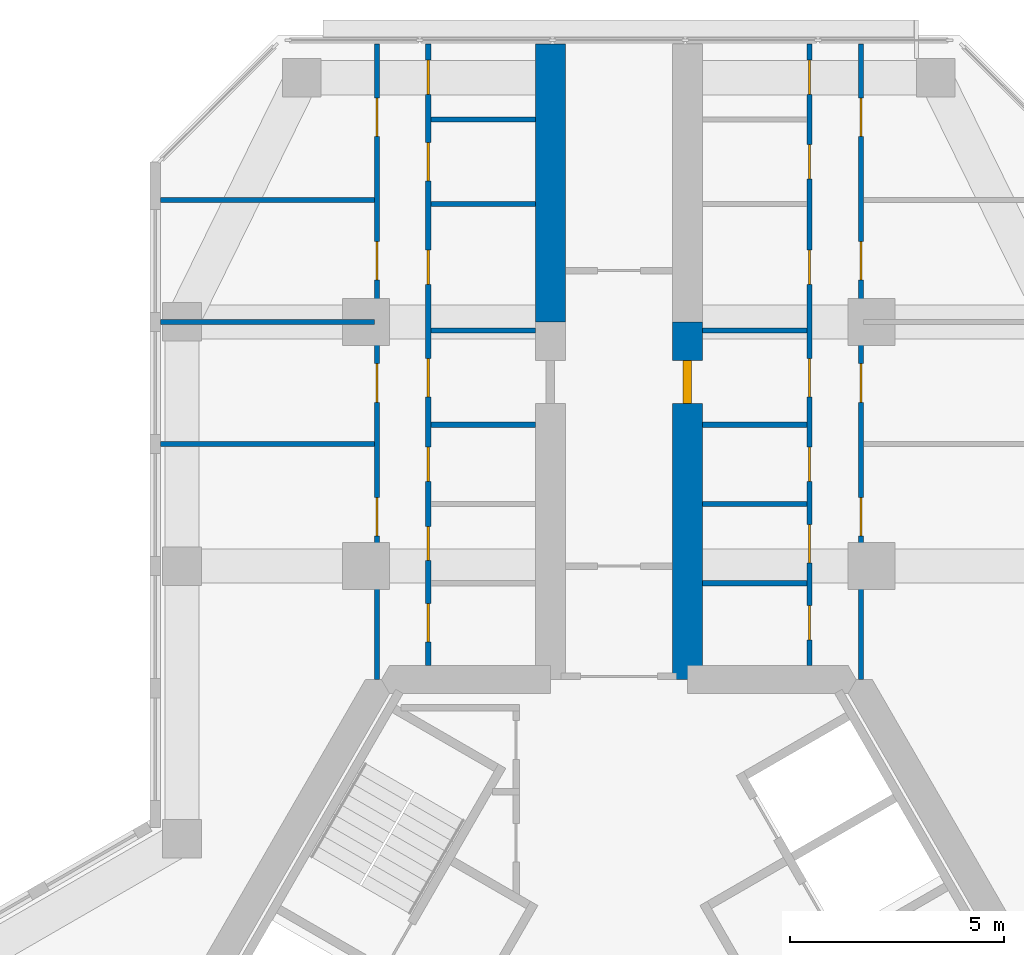
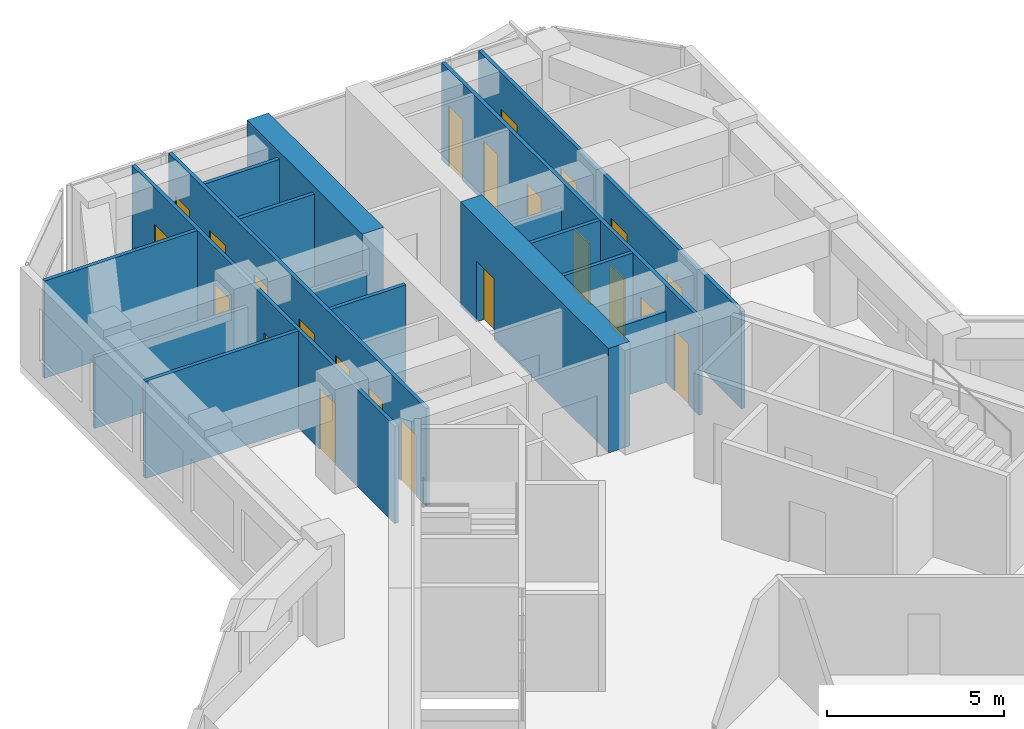
# One storey, part 14 of 16: 23 doors, 17 walls, 23 openings.
"""IFC4 building model written with IfcOpenShell, lengths in metres."""

from ifc_helpers import new_model, si_unit, direction, frame, frame_2d, origin, place, context, subcontext, project, spatial, rectangle, extrude, material, layer, layer_set, type_object, element, fill, save


model = new_model("IFC4")

# Units and contexts
model_context = context("Model", 3, precision=1e-05, world=origin(), true_north=direction((0.0, 1.0)))
body_context = subcontext(model_context, "Body", "Model", "MODEL_VIEW")
ifc_project = project(units=[si_unit("LENGTHUNIT", "METRE"), si_unit("AREAUNIT", "SQUARE_METRE"), si_unit("VOLUMEUNIT", "CUBIC_METRE"), si_unit("PLANEANGLEUNIT", "RADIAN"), si_unit("MASSUNIT", "GRAM", prefix="KILO")], contexts=[model_context])

# Site, building, storey
site_placement = place(None, origin())
site = spatial("IfcSite", under=ifc_project, at=site_placement, CompositionType="ELEMENT")
building_placement = place(site_placement, origin())
building = spatial("IfcBuilding", under=site, at=building_placement, Name="Kosmar Iwan School Tower", CompositionType="ELEMENT")
storey_placement = place(building_placement, frame((0.0, 0.0, 197.39990234375)))
storey = spatial("IfcBuildingStorey", under=building, at=storey_placement, Name="L49", CompositionType="ELEMENT", Elevation=197.39990234375)

# Wall
ifc_material_1 = material(Name="Concrete C50/60", Category="concrete")
ifc_layer_1 = layer(ifc_material_1, 0.699951171875)
ifc_layer_set_1 = layer_set([ifc_layer_1], Name="Corridor buttress wall 700")
wall_type_1 = type_object("IfcWallType", Name="Corridor buttress wall 700", PredefinedType="SHEAR", material=ifc_layer_set_1)
wall_1_placement = place(storey_placement, frame((-1.60009765625, 17.949951171875, 0.0), z_axis=(0.0, 0.0, 1.0), x_axis=(0.0, 1.0, 0.0)))
element("IfcWall", 1, at=wall_1_placement, inside=storey, type_object=wall_type_1, Name="Corridor wall AL bay 2", PredefinedType="SHEAR", context=body_context, shape_type="SweptSolid", body=[
    extrude(rectangle(XDim=6.4951171875, YDim=0.699951171875, at=frame_2d((3.24755859375, 0.0))), origin(), (0.0, 0.0, 1.0), 3.60009765625),
])

# Wall, opening, door
wall_2_placement = place(storey_placement, frame((1.60009765625, 9.60009765625, 0.0), z_axis=(0.0, 0.0, 1.0), x_axis=(0.0, 1.0, 0.0)))
wall_2 = element("IfcWall", 2, at=wall_2_placement, inside=storey, type_object=wall_type_1, Name="Corridor wall AR", PredefinedType="SHEAR", context=body_context, shape_type="SweptSolid", body=[
    extrude(rectangle(XDim=8.349853515625, YDim=0.699951171875, at=frame_2d((4.1748046875, 0.0))), origin(), (0.0, 0.0, 1.0), 3.60009765625),
])
opening_1_placement = place(wall_2_placement, frame((6.449951171875, 0.0, 0.0)))
opening_1 = element("IfcOpeningElement", 3, at=opening_1_placement, cuts=wall_2, Name="Opening D1", PredefinedType="OPENING", context=body_context, shape_type="SweptSolid", body=[
    extrude(rectangle(XDim=1.0, YDim=2.10009765625, at=frame_2d((0.5, 1.050048828125))), frame((0.0, 0.362060546875, 0.0), z_axis=(0.0, -1.0, 0.0), x_axis=(1.0, 0.0, 0.0)), (0.0, 0.0, 1.0), 0.723876953125),
])
ifc_material_2 = material(Name="Timber fire door in steel frame", Category="steel")
door_type_1 = type_object("IfcDoorType", Name="Flat entrance door 1000x2100", OperationType="SINGLE_SWING_LEFT", PredefinedType="DOOR", material=ifc_material_2)
door_1_placement = place(opening_1_placement, origin())
door_1 = element("IfcDoor", 4, at=door_1_placement, inside=storey, type_object=door_type_1, Name="Flat L49-AR1 entrance door", OperationType="SINGLE_SWING_RIGHT", OverallHeight=2.10009765625, OverallWidth=1.0, PredefinedType="DOOR", context=body_context, shape_type="SweptSolid", body=[
    extrude(rectangle(XDim=1.0, YDim=2.10009765625, at=frame_2d((0.5, 1.050048828125))), frame((0.0, 0.10009765625, 0.0), z_axis=(0.0, -1.0, 0.0), x_axis=(1.0, 0.0, 0.0)), (0.0, 0.0, 1.0), 0.199951171875),
])
fill(opening_1, door_1)

# Wall, openings, doors
ifc_material_3 = material(Name="Gypsum board on steel studs", Category="steel")
ifc_layer_2 = layer(ifc_material_3, 0.1201171875)
ifc_layer_set_2 = layer_set([ifc_layer_2], Name="Dwelling partition 120")
wall_type_2 = type_object("IfcWallType", Name="Dwelling partition 120", PredefinedType="PARTITIONING", material=ifc_layer_set_2)
wall_3_placement = place(storey_placement, frame((-4.449951171875, 9.925048828125, 0.0), z_axis=(0.0, 0.0, 1.0), x_axis=(0.0, 1.0, 0.0)))
wall_3 = element("IfcWall", 5, at=wall_3_placement, inside=storey, type_object=wall_type_2, Name="Partition L49-AL1-W1", PredefinedType="PARTITIONING", context=body_context, shape_type="SweptSolid", body=[
    extrude(rectangle(XDim=14.52001953125, YDim=0.1201171875, at=frame_2d((7.260009765625, 0.0))), origin(), (0.0, 0.0, 1.0), 3.35009765625),
])
opening_2_placement = place(wall_3_placement, frame((0.550048828125, 0.0, 0.0)))
opening_2 = element("IfcOpeningElement", 6, at=opening_2_placement, cuts=wall_3, Name="Opening D2", PredefinedType="OPENING", context=body_context, shape_type="SweptSolid", body=[
    extrude(rectangle(XDim=0.89990234375, YDim=2.10009765625, at=frame_2d((0.449951171875, 1.050048828125))), frame((0.0, 0.072021484375, 0.0), z_axis=(0.0, -1.0, 0.0), x_axis=(1.0, 0.0, 0.0)), (0.0, 0.0, 1.0), 0.14404296875),
])
opening_3_placement = place(wall_3_placement, frame((2.449951171875, 0.0, 0.0)))
opening_3 = element("IfcOpeningElement", 7, at=opening_3_placement, cuts=wall_3, Name="Opening D3", PredefinedType="OPENING", context=body_context, shape_type="SweptSolid", body=[
    extrude(rectangle(XDim=0.800048828125, YDim=2.10009765625, at=frame_2d((0.39990234375, 1.050048828125))), frame((0.0, 0.072021484375, 0.0), z_axis=(0.0, -1.0, 0.0), x_axis=(1.0, 0.0, 0.0)), (0.0, 0.0, 1.0), 0.14404296875),
])
opening_4_placement = place(wall_3_placement, frame((4.300048828125, 0.0, 0.0)))
opening_4 = element("IfcOpeningElement", 8, at=opening_4_placement, cuts=wall_3, Name="Opening D3", PredefinedType="OPENING", context=body_context, shape_type="SweptSolid", body=[
    extrude(rectangle(XDim=0.800048828125, YDim=2.10009765625, at=frame_2d((0.39990234375, 1.050048828125))), frame((0.0, 0.072021484375, 0.0), z_axis=(0.0, -1.0, 0.0), x_axis=(1.0, 0.0, 0.0)), (0.0, 0.0, 1.0), 0.14404296875),
])
opening_5_placement = place(wall_3_placement, frame((6.27490234375, 0.0, 0.0)))
opening_5 = element("IfcOpeningElement", 9, at=opening_5_placement, cuts=wall_3, Name="Opening D2", PredefinedType="OPENING", context=body_context, shape_type="SweptSolid", body=[
    extrude(rectangle(XDim=0.89990234375, YDim=2.10009765625, at=frame_2d((0.449951171875, 1.050048828125))), frame((0.0, 0.072021484375, 0.0), z_axis=(0.0, -1.0, 0.0), x_axis=(1.0, 0.0, 0.0)), (0.0, 0.0, 1.0), 0.14404296875),
])
opening_6_placement = place(wall_3_placement, frame((8.903564453125, 0.0, 0.0)))
opening_6 = element("IfcOpeningElement", 10, at=opening_6_placement, cuts=wall_3, Name="Opening D3", PredefinedType="OPENING", context=body_context, shape_type="SweptSolid", body=[
    extrude(rectangle(XDim=0.800048828125, YDim=2.10009765625, at=frame_2d((0.39990234375, 1.050048828125))), frame((0.0, 0.072021484375, 0.0), z_axis=(0.0, -1.0, 0.0), x_axis=(1.0, 0.0, 0.0)), (0.0, 0.0, 1.0), 0.14404296875),
])
opening_7_placement = place(wall_3_placement, frame((11.31787109375, 0.0, 0.0)))
opening_7 = element("IfcOpeningElement", 11, at=opening_7_placement, cuts=wall_3, Name="Opening D2", PredefinedType="OPENING", context=body_context, shape_type="SweptSolid", body=[
    extrude(rectangle(XDim=0.89990234375, YDim=2.10009765625, at=frame_2d((0.449951171875, 1.050048828125))), frame((0.0, 0.072021484375, 0.0), z_axis=(0.0, -1.0, 0.0), x_axis=(1.0, 0.0, 0.0)), (0.0, 0.0, 1.0), 0.14404296875),
])
opening_8_placement = place(wall_3_placement, frame((13.33935546875, 0.0, 0.0)))
opening_8 = element("IfcOpeningElement", 12, at=opening_8_placement, cuts=wall_3, Name="Opening D3", PredefinedType="OPENING", context=body_context, shape_type="SweptSolid", body=[
    extrude(rectangle(XDim=0.800048828125, YDim=2.10009765625, at=frame_2d((0.39990234375, 1.050048828125))), frame((0.0, 0.072021484375, 0.0), z_axis=(0.0, -1.0, 0.0), x_axis=(1.0, 0.0, 0.0)), (0.0, 0.0, 1.0), 0.14404296875),
])
ifc_material_4 = material(Name="Timber door in timber frame", Category="wood")
door_type_2 = type_object("IfcDoorType", Name="Internal door 900x2100", OperationType="SINGLE_SWING_LEFT", PredefinedType="DOOR", material=ifc_material_4)
door_2_placement = place(opening_2_placement, origin())
door_2 = element("IfcDoor", 13, at=door_2_placement, inside=storey, type_object=door_type_2, Name="Utility room door L49-AL1-S1", OperationType="SINGLE_SWING_LEFT", OverallHeight=2.10009765625, OverallWidth=0.89990234375, PredefinedType="DOOR", context=body_context, shape_type="SweptSolid", body=[
    extrude(rectangle(XDim=0.89990234375, YDim=2.10009765625, at=frame_2d((0.449951171875, 1.050048828125))), frame((0.0, 0.02490234375, 0.0), z_axis=(0.0, -1.0, 0.0), x_axis=(1.0, 0.0, 0.0)), (0.0, 0.0, 1.0), 0.050048828125),
])
fill(opening_2, door_2)
door_3_placement = place(opening_5_placement, origin())
door_3 = element("IfcDoor", 14, at=door_3_placement, inside=storey, type_object=door_type_2, Name="Entrance hall door L49-AL1-S4", OperationType="SINGLE_SWING_LEFT", OverallHeight=2.10009765625, OverallWidth=0.89990234375, PredefinedType="DOOR", context=body_context, shape_type="SweptSolid", body=[
    extrude(rectangle(XDim=0.89990234375, YDim=2.10009765625, at=frame_2d((0.449951171875, 1.050048828125))), frame((0.0, 0.02490234375, 0.0), z_axis=(0.0, -1.0, 0.0), x_axis=(1.0, 0.0, 0.0)), (0.0, 0.0, 1.0), 0.050048828125),
])
fill(opening_5, door_3)
door_4_placement = place(opening_7_placement, origin())
door_4 = element("IfcDoor", 15, at=door_4_placement, inside=storey, type_object=door_type_2, Name="Pantry door L49-AL1-S6", OperationType="SINGLE_SWING_RIGHT", OverallHeight=2.10009765625, OverallWidth=0.89990234375, PredefinedType="DOOR", context=body_context, shape_type="SweptSolid", body=[
    extrude(rectangle(XDim=0.89990234375, YDim=2.10009765625, at=frame_2d((0.449951171875, 1.050048828125))), frame((0.0, 0.02490234375, 0.0), z_axis=(0.0, -1.0, 0.0), x_axis=(1.0, 0.0, 0.0)), (0.0, 0.0, 1.0), 0.050048828125),
])
fill(opening_7, door_4)
ifc_material_5 = material(Name="Timber door in timber frame", Category="wood")
door_type_3 = type_object("IfcDoorType", Name="Sanitary room door 800x2100", OperationType="SINGLE_SWING_LEFT", PredefinedType="DOOR", material=ifc_material_5)
door_5_placement = place(opening_3_placement, origin())
door_5 = element("IfcDoor", 16, at=door_5_placement, inside=storey, type_object=door_type_3, Name="WC door L49-AL1-S2", OperationType="SINGLE_SWING_LEFT", OverallHeight=2.10009765625, OverallWidth=0.800048828125, PredefinedType="DOOR", context=body_context, shape_type="SweptSolid", body=[
    extrude(rectangle(XDim=0.800048828125, YDim=2.10009765625, at=frame_2d((0.39990234375, 1.050048828125))), frame((0.0, 0.02490234375, 0.0), z_axis=(0.0, -1.0, 0.0), x_axis=(1.0, 0.0, 0.0)), (0.0, 0.0, 1.0), 0.050048828125),
])
fill(opening_3, door_5)
door_6_placement = place(opening_4_placement, origin())
door_6 = element("IfcDoor", 17, at=door_6_placement, inside=storey, type_object=door_type_3, Name="Shower room door L49-AL1-S3", OperationType="SINGLE_SWING_LEFT", OverallHeight=2.10009765625, OverallWidth=0.800048828125, PredefinedType="DOOR", context=body_context, shape_type="SweptSolid", body=[
    extrude(rectangle(XDim=0.800048828125, YDim=2.10009765625, at=frame_2d((0.39990234375, 1.050048828125))), frame((0.0, 0.02490234375, 0.0), z_axis=(0.0, -1.0, 0.0), x_axis=(1.0, 0.0, 0.0)), (0.0, 0.0, 1.0), 0.050048828125),
])
fill(opening_4, door_6)
door_7_placement = place(opening_6_placement, origin())
door_7 = element("IfcDoor", 18, at=door_7_placement, inside=storey, type_object=door_type_3, Name="Bathroom door L49-AL1-S5", OperationType="SINGLE_SWING_RIGHT", OverallHeight=2.10009765625, OverallWidth=0.800048828125, PredefinedType="DOOR", context=body_context, shape_type="SweptSolid", body=[
    extrude(rectangle(XDim=0.800048828125, YDim=2.10009765625, at=frame_2d((0.39990234375, 1.050048828125))), frame((0.0, 0.02490234375, 0.0), z_axis=(0.0, -1.0, 0.0), x_axis=(1.0, 0.0, 0.0)), (0.0, 0.0, 1.0), 0.050048828125),
])
fill(opening_6, door_7)
door_8_placement = place(opening_8_placement, origin())
door_8 = element("IfcDoor", 19, at=door_8_placement, inside=storey, type_object=door_type_3, Name="Store door L49-AL1-S7", OperationType="SINGLE_SWING_RIGHT", OverallHeight=2.10009765625, OverallWidth=0.800048828125, PredefinedType="DOOR", context=body_context, shape_type="SweptSolid", body=[
    extrude(rectangle(XDim=0.800048828125, YDim=2.10009765625, at=frame_2d((0.39990234375, 1.050048828125))), frame((0.0, 0.02490234375, 0.0), z_axis=(0.0, -1.0, 0.0), x_axis=(1.0, 0.0, 0.0)), (0.0, 0.0, 1.0), 0.050048828125),
])
fill(opening_8, door_8)

wall_4_placement = place(storey_placement, frame((-5.64990234375, 9.60009765625, 0.0), z_axis=(0.0, 0.0, 1.0), x_axis=(0.0, 1.0, 0.0)))
wall_4 = element("IfcWall", 20, at=wall_4_placement, inside=storey, type_object=wall_type_2, Name="Partition L49-AL1-W2", PredefinedType="PARTITIONING", context=body_context, shape_type="SweptSolid", body=[
    extrude(rectangle(XDim=14.844970703125, YDim=0.1201171875, at=frame_2d((7.42236328125, 0.0))), origin(), (0.0, 0.0, 1.0), 3.35009765625),
])
opening_9_placement = place(wall_4_placement, frame((3.35009765625, 0.0, 0.0)))
opening_9 = element("IfcOpeningElement", 21, at=opening_9_placement, cuts=wall_4, Name="Opening D2", PredefinedType="OPENING", context=body_context, shape_type="SweptSolid", body=[
    extrude(rectangle(XDim=0.89990234375, YDim=2.10009765625, at=frame_2d((0.449951171875, 1.050048828125))), frame((0.0, 0.072021484375, 0.0), z_axis=(0.0, -1.0, 0.0), x_axis=(1.0, 0.0, 0.0)), (0.0, 0.0, 1.0), 0.14404296875),
])
opening_10_placement = place(wall_4_placement, frame((6.47509765625, 0.0, 0.0)))
opening_10 = element("IfcOpeningElement", 22, at=opening_10_placement, cuts=wall_4, Name="Opening D2", PredefinedType="OPENING", context=body_context, shape_type="SweptSolid", body=[
    extrude(rectangle(XDim=0.89990234375, YDim=2.10009765625, at=frame_2d((0.449951171875, 1.050048828125))), frame((0.0, 0.072021484375, 0.0), z_axis=(0.0, -1.0, 0.0), x_axis=(1.0, 0.0, 0.0)), (0.0, 0.0, 1.0), 0.14404296875),
])
opening_11_placement = place(wall_4_placement, frame((9.324951171875, 0.0, 0.0)))
opening_11 = element("IfcOpeningElement", 23, at=opening_11_placement, cuts=wall_4, Name="Opening D2", PredefinedType="OPENING", context=body_context, shape_type="SweptSolid", body=[
    extrude(rectangle(XDim=0.89990234375, YDim=2.10009765625, at=frame_2d((0.449951171875, 1.050048828125))), frame((0.0, 0.072021484375, 0.0), z_axis=(0.0, -1.0, 0.0), x_axis=(1.0, 0.0, 0.0)), (0.0, 0.0, 1.0), 0.14404296875),
])
opening_12_placement = place(wall_4_placement, frame((12.675048828125, 0.0, 0.0)))
opening_12 = element("IfcOpeningElement", 24, at=opening_12_placement, cuts=wall_4, Name="Opening D2", PredefinedType="OPENING", context=body_context, shape_type="SweptSolid", body=[
    extrude(rectangle(XDim=0.89990234375, YDim=2.10009765625, at=frame_2d((0.449951171875, 1.050048828125))), frame((0.0, 0.072021484375, 0.0), z_axis=(0.0, -1.0, 0.0), x_axis=(1.0, 0.0, 0.0)), (0.0, 0.0, 1.0), 0.14404296875),
])
door_9_placement = place(opening_9_placement, origin())
door_9 = element("IfcDoor", 25, at=door_9_placement, inside=storey, type_object=door_type_2, Name="Family room and kitchen door L49-AL1-F1", OperationType="SINGLE_SWING_RIGHT", OverallHeight=2.10009765625, OverallWidth=0.89990234375, PredefinedType="DOOR", context=body_context, shape_type="SweptSolid", body=[
    extrude(rectangle(XDim=0.89990234375, YDim=2.10009765625, at=frame_2d((0.449951171875, 1.050048828125))), frame((0.0, 0.02490234375, 0.0), z_axis=(0.0, -1.0, 0.0), x_axis=(1.0, 0.0, 0.0)), (0.0, 0.0, 1.0), 0.050048828125),
])
fill(opening_9, door_9)
door_10_placement = place(opening_10_placement, origin())
door_10 = element("IfcDoor", 26, at=door_10_placement, inside=storey, type_object=door_type_2, Name="Bedroom 1 door L49-AL1-F2", OperationType="SINGLE_SWING_RIGHT", OverallHeight=2.10009765625, OverallWidth=0.89990234375, PredefinedType="DOOR", context=body_context, shape_type="SweptSolid", body=[
    extrude(rectangle(XDim=0.89990234375, YDim=2.10009765625, at=frame_2d((0.449951171875, 1.050048828125))), frame((0.0, 0.02490234375, 0.0), z_axis=(0.0, -1.0, 0.0), x_axis=(1.0, 0.0, 0.0)), (0.0, 0.0, 1.0), 0.050048828125),
])
fill(opening_10, door_10)
door_11_placement = place(opening_11_placement, origin())
door_11 = element("IfcDoor", 27, at=door_11_placement, inside=storey, type_object=door_type_2, Name="Bedroom 2 door L49-AL1-F3", OperationType="SINGLE_SWING_LEFT", OverallHeight=2.10009765625, OverallWidth=0.89990234375, PredefinedType="DOOR", context=body_context, shape_type="SweptSolid", body=[
    extrude(rectangle(XDim=0.89990234375, YDim=2.10009765625, at=frame_2d((0.449951171875, 1.050048828125))), frame((0.0, 0.02490234375, 0.0), z_axis=(0.0, -1.0, 0.0), x_axis=(1.0, 0.0, 0.0)), (0.0, 0.0, 1.0), 0.050048828125),
])
fill(opening_11, door_11)
door_12_placement = place(opening_12_placement, origin())
door_12 = element("IfcDoor", 28, at=door_12_placement, inside=storey, type_object=door_type_2, Name="Bedroom 3 door L49-AL1-F4", OperationType="SINGLE_SWING_RIGHT", OverallHeight=2.10009765625, OverallWidth=0.89990234375, PredefinedType="DOOR", context=body_context, shape_type="SweptSolid", body=[
    extrude(rectangle(XDim=0.89990234375, YDim=2.10009765625, at=frame_2d((0.449951171875, 1.050048828125))), frame((0.0, 0.02490234375, 0.0), z_axis=(0.0, -1.0, 0.0), x_axis=(1.0, 0.0, 0.0)), (0.0, 0.0, 1.0), 0.050048828125),
])
fill(opening_12, door_12)

# Walls
wall_5_placement = place(storey_placement, frame((-5.7099609375, 15.10009765625, 0.0), z_axis=(0.0, 0.0, 1.0), x_axis=(-1.0, 0.0, 0.0)))
element("IfcWall", 29, at=wall_5_placement, inside=storey, type_object=wall_type_2, Name="Partition L49-AL1-X1", PredefinedType="PARTITIONING", context=body_context, shape_type="SweptSolid", body=[
    extrude(rectangle(XDim=4.989990234375, YDim=0.1201171875, at=frame_2d((2.4951171875, 0.0))), origin(), (0.0, 0.0, 1.0), 3.35009765625),
])
wall_6_placement = place(storey_placement, frame((-5.7099609375, 17.949951171875, 0.0), z_axis=(0.0, 0.0, 1.0), x_axis=(-1.0, 0.0, 0.0)))
element("IfcWall", 30, at=wall_6_placement, inside=storey, type_object=wall_type_2, Name="Partition L49-AL1-X2", PredefinedType="PARTITIONING", context=body_context, shape_type="SweptSolid", body=[
    extrude(rectangle(XDim=4.989990234375, YDim=0.1201171875, at=frame_2d((2.4951171875, 0.0))), origin(), (0.0, 0.0, 1.0), 2.4501953125),
])
wall_7_placement = place(storey_placement, frame((-5.7099609375, 20.800048828125, 0.0), z_axis=(0.0, 0.0, 1.0), x_axis=(-1.0, 0.0, 0.0)))
element("IfcWall", 31, at=wall_7_placement, inside=storey, type_object=wall_type_2, Name="Partition L49-AL1-X3", PredefinedType="PARTITIONING", context=body_context, shape_type="SweptSolid", body=[
    extrude(rectangle(XDim=4.989990234375, YDim=0.1201171875, at=frame_2d((2.4951171875, 0.0))), origin(), (0.0, 0.0, 1.0), 3.35009765625),
])
wall_8_placement = place(storey_placement, frame((-1.949951171875, 15.550048828125, 0.0), z_axis=(0.0, 0.0, 1.0), x_axis=(-1.0, 0.0, 0.0)))
element("IfcWall", 32, at=wall_8_placement, inside=storey, type_object=wall_type_2, Name="Partition L49-AL1-Y3", PredefinedType="PARTITIONING", context=body_context, shape_type="SweptSolid", body=[
    extrude(rectangle(XDim=2.43994140625, YDim=0.1201171875, at=frame_2d((1.219970703125, 0.0))), origin(), (0.0, 0.0, 1.0), 3.35009765625),
])
wall_9_placement = place(storey_placement, frame((-1.949951171875, 17.75, 0.0), z_axis=(0.0, 0.0, 1.0), x_axis=(-1.0, 0.0, 0.0)))
element("IfcWall", 33, at=wall_9_placement, inside=storey, type_object=wall_type_2, Name="Partition L49-AL1-Y4", PredefinedType="PARTITIONING", context=body_context, shape_type="SweptSolid", body=[
    extrude(rectangle(XDim=2.43994140625, YDim=0.1201171875, at=frame_2d((1.219970703125, 0.0))), origin(), (0.0, 0.0, 1.0), 2.4501953125),
])
for number, where, z_axis, x_axis, name in (
    (34, (-1.949951171875, 20.70703125, 0.0), (0.0, 0.0, 1.0), (-1.0, 0.0, 0.0), "Partition L49-AL1-Y5"),
    (35, (-1.949951171875, 22.678466796875, 0.0), (0.0, 0.0, 1.0), (-1.0, 0.0, 0.0), "Partition L49-AL1-Y6"),
):
    element("IfcWall", number, at=place(storey_placement, frame(where, z_axis=z_axis, x_axis=x_axis)), inside=storey, type_object=wall_type_2, Name=name, PredefinedType="PARTITIONING", context=body_context, shape_type="SweptSolid", body=[
        extrude(rectangle(XDim=2.43994140625, YDim=0.1201171875, at=frame_2d((1.219970703125, 0.0))), origin(), (0.0, 0.0, 1.0), 3.35009765625),
    ])

# Wall, openings, doors
wall_10_placement = place(storey_placement, frame((4.449951171875, 9.925048828125, 0.0), z_axis=(0.0, 0.0, 1.0), x_axis=(0.0, 1.0, 0.0)))
wall_10 = element("IfcWall", 36, at=wall_10_placement, inside=storey, type_object=wall_type_2, Name="Partition L49-AR1-W1", PredefinedType="PARTITIONING", context=body_context, shape_type="SweptSolid", body=[
    extrude(rectangle(XDim=14.52001953125, YDim=0.1201171875, at=frame_2d((7.260009765625, 0.0))), origin(), (0.0, 0.0, 1.0), 3.35009765625),
])
opening_13_placement = place(wall_10_placement, frame((0.60009765625, 0.0, 0.0)))
opening_13 = element("IfcOpeningElement", 37, at=opening_13_placement, cuts=wall_10, Name="Opening D3", PredefinedType="OPENING", context=body_context, shape_type="SweptSolid", body=[
    extrude(rectangle(XDim=0.800048828125, YDim=2.10009765625, at=frame_2d((0.39990234375, 1.050048828125))), frame((0.0, 0.072021484375, 0.0), z_axis=(0.0, -1.0, 0.0), x_axis=(1.0, 0.0, 0.0)), (0.0, 0.0, 1.0), 0.14404296875),
])
opening_14_placement = place(wall_10_placement, frame((2.39990234375, 0.0, 0.0)))
opening_14 = element("IfcOpeningElement", 38, at=opening_14_placement, cuts=wall_10, Name="Opening D2", PredefinedType="OPENING", context=body_context, shape_type="SweptSolid", body=[
    extrude(rectangle(XDim=0.89990234375, YDim=2.10009765625, at=frame_2d((0.449951171875, 1.050048828125))), frame((0.0, 0.072021484375, 0.0), z_axis=(0.0, -1.0, 0.0), x_axis=(1.0, 0.0, 0.0)), (0.0, 0.0, 1.0), 0.14404296875),
])
opening_15_placement = place(wall_10_placement, frame((4.300048828125, 0.0, 0.0)))
opening_15 = element("IfcOpeningElement", 39, at=opening_15_placement, cuts=wall_10, Name="Opening D3", PredefinedType="OPENING", context=body_context, shape_type="SweptSolid", body=[
    extrude(rectangle(XDim=0.800048828125, YDim=2.10009765625, at=frame_2d((0.39990234375, 1.050048828125))), frame((0.0, 0.072021484375, 0.0), z_axis=(0.0, -1.0, 0.0), x_axis=(1.0, 0.0, 0.0)), (0.0, 0.0, 1.0), 0.14404296875),
])
opening_16_placement = place(wall_10_placement, frame((6.27490234375, 0.0, 0.0)))
opening_16 = element("IfcOpeningElement", 40, at=opening_16_placement, cuts=wall_10, Name="Opening D2", PredefinedType="OPENING", context=body_context, shape_type="SweptSolid", body=[
    extrude(rectangle(XDim=0.89990234375, YDim=2.10009765625, at=frame_2d((0.449951171875, 1.050048828125))), frame((0.0, 0.072021484375, 0.0), z_axis=(0.0, -1.0, 0.0), x_axis=(1.0, 0.0, 0.0)), (0.0, 0.0, 1.0), 0.14404296875),
])
opening_17_placement = place(wall_10_placement, frame((8.903564453125, 0.0, 0.0)))
opening_17 = element("IfcOpeningElement", 41, at=opening_17_placement, cuts=wall_10, Name="Opening D3", PredefinedType="OPENING", context=body_context, shape_type="SweptSolid", body=[
    extrude(rectangle(XDim=0.800048828125, YDim=2.10009765625, at=frame_2d((0.39990234375, 1.050048828125))), frame((0.0, 0.072021484375, 0.0), z_axis=(0.0, -1.0, 0.0), x_axis=(1.0, 0.0, 0.0)), (0.0, 0.0, 1.0), 0.14404296875),
])
opening_18_placement = place(wall_10_placement, frame((11.367919921875, 0.0, 0.0)))
opening_18 = element("IfcOpeningElement", 42, at=opening_18_placement, cuts=wall_10, Name="Opening D3", PredefinedType="OPENING", context=body_context, shape_type="SweptSolid", body=[
    extrude(rectangle(XDim=0.800048828125, YDim=2.10009765625, at=frame_2d((0.39990234375, 1.050048828125))), frame((0.0, 0.072021484375, 0.0), z_axis=(0.0, -1.0, 0.0), x_axis=(1.0, 0.0, 0.0)), (0.0, 0.0, 1.0), 0.14404296875),
])
opening_19_placement = place(wall_10_placement, frame((13.33935546875, 0.0, 0.0)))
opening_19 = element("IfcOpeningElement", 43, at=opening_19_placement, cuts=wall_10, Name="Opening D3", PredefinedType="OPENING", context=body_context, shape_type="SweptSolid", body=[
    extrude(rectangle(XDim=0.800048828125, YDim=2.10009765625, at=frame_2d((0.39990234375, 1.050048828125))), frame((0.0, 0.072021484375, 0.0), z_axis=(0.0, -1.0, 0.0), x_axis=(1.0, 0.0, 0.0)), (0.0, 0.0, 1.0), 0.14404296875),
])
door_13_placement = place(opening_14_placement, origin())
door_13 = element("IfcDoor", 44, at=door_13_placement, inside=storey, type_object=door_type_2, Name="Pantry door L49-AR1-S2", OperationType="SINGLE_SWING_RIGHT", OverallHeight=2.10009765625, OverallWidth=0.89990234375, PredefinedType="DOOR", context=body_context, shape_type="SweptSolid", body=[
    extrude(rectangle(XDim=0.89990234375, YDim=2.10009765625, at=frame_2d((0.449951171875, 1.050048828125))), frame((0.0, 0.02490234375, 0.0), z_axis=(0.0, -1.0, 0.0), x_axis=(1.0, 0.0, 0.0)), (0.0, 0.0, 1.0), 0.050048828125),
])
fill(opening_14, door_13)
door_14_placement = place(opening_16_placement, origin())
door_14 = element("IfcDoor", 45, at=door_14_placement, inside=storey, type_object=door_type_2, Name="Entrance hall door L49-AR1-S4", OperationType="SINGLE_SWING_RIGHT", OverallHeight=2.10009765625, OverallWidth=0.89990234375, PredefinedType="DOOR", context=body_context, shape_type="SweptSolid", body=[
    extrude(rectangle(XDim=0.89990234375, YDim=2.10009765625, at=frame_2d((0.449951171875, 1.050048828125))), frame((0.0, 0.02490234375, 0.0), z_axis=(0.0, -1.0, 0.0), x_axis=(1.0, 0.0, 0.0)), (0.0, 0.0, 1.0), 0.050048828125),
])
fill(opening_16, door_14)
door_15_placement = place(opening_13_placement, origin())
door_15 = element("IfcDoor", 46, at=door_15_placement, inside=storey, type_object=door_type_3, Name="Store door L49-AR1-S1", OperationType="SINGLE_SWING_LEFT", OverallHeight=2.10009765625, OverallWidth=0.800048828125, PredefinedType="DOOR", context=body_context, shape_type="SweptSolid", body=[
    extrude(rectangle(XDim=0.800048828125, YDim=2.10009765625, at=frame_2d((0.39990234375, 1.050048828125))), frame((0.0, 0.02490234375, 0.0), z_axis=(0.0, -1.0, 0.0), x_axis=(1.0, 0.0, 0.0)), (0.0, 0.0, 1.0), 0.050048828125),
])
fill(opening_13, door_15)
door_16_placement = place(opening_15_placement, origin())
door_16 = element("IfcDoor", 47, at=door_16_placement, inside=storey, type_object=door_type_3, Name="Grandparents' shower room door L49-AR1-S3", OperationType="SINGLE_SWING_LEFT", OverallHeight=2.10009765625, OverallWidth=0.800048828125, PredefinedType="DOOR", context=body_context, shape_type="SweptSolid", body=[
    extrude(rectangle(XDim=0.800048828125, YDim=2.10009765625, at=frame_2d((0.39990234375, 1.050048828125))), frame((0.0, 0.02490234375, 0.0), z_axis=(0.0, -1.0, 0.0), x_axis=(1.0, 0.0, 0.0)), (0.0, 0.0, 1.0), 0.050048828125),
])
fill(opening_15, door_16)
door_17_placement = place(opening_17_placement, origin())
door_17 = element("IfcDoor", 48, at=door_17_placement, inside=storey, type_object=door_type_3, Name="Bathroom door L49-AR1-S5", OperationType="SINGLE_SWING_LEFT", OverallHeight=2.10009765625, OverallWidth=0.800048828125, PredefinedType="DOOR", context=body_context, shape_type="SweptSolid", body=[
    extrude(rectangle(XDim=0.800048828125, YDim=2.10009765625, at=frame_2d((0.39990234375, 1.050048828125))), frame((0.0, 0.02490234375, 0.0), z_axis=(0.0, -1.0, 0.0), x_axis=(1.0, 0.0, 0.0)), (0.0, 0.0, 1.0), 0.050048828125),
])
fill(opening_17, door_17)
door_18_placement = place(opening_18_placement, origin())
door_18 = element("IfcDoor", 49, at=door_18_placement, inside=storey, type_object=door_type_3, Name="Shower room door L49-AR1-S6", OperationType="SINGLE_SWING_RIGHT", OverallHeight=2.10009765625, OverallWidth=0.800048828125, PredefinedType="DOOR", context=body_context, shape_type="SweptSolid", body=[
    extrude(rectangle(XDim=0.800048828125, YDim=2.10009765625, at=frame_2d((0.39990234375, 1.050048828125))), frame((0.0, 0.02490234375, 0.0), z_axis=(0.0, -1.0, 0.0), x_axis=(1.0, 0.0, 0.0)), (0.0, 0.0, 1.0), 0.050048828125),
])
fill(opening_18, door_18)
door_19_placement = place(opening_19_placement, origin())
door_19 = element("IfcDoor", 50, at=door_19_placement, inside=storey, type_object=door_type_3, Name="WC door L49-AR1-S7", OperationType="SINGLE_SWING_RIGHT", OverallHeight=2.10009765625, OverallWidth=0.800048828125, PredefinedType="DOOR", context=body_context, shape_type="SweptSolid", body=[
    extrude(rectangle(XDim=0.800048828125, YDim=2.10009765625, at=frame_2d((0.39990234375, 1.050048828125))), frame((0.0, 0.02490234375, 0.0), z_axis=(0.0, -1.0, 0.0), x_axis=(1.0, 0.0, 0.0)), (0.0, 0.0, 1.0), 0.050048828125),
])
fill(opening_19, door_19)

wall_11_placement = place(storey_placement, frame((5.64990234375, 9.60009765625, 0.0), z_axis=(0.0, 0.0, 1.0), x_axis=(0.0, 1.0, 0.0)))
wall_11 = element("IfcWall", 51, at=wall_11_placement, inside=storey, type_object=wall_type_2, Name="Partition L49-AR1-W2", PredefinedType="PARTITIONING", context=body_context, shape_type="SweptSolid", body=[
    extrude(rectangle(XDim=14.844970703125, YDim=0.1201171875, at=frame_2d((7.42236328125, 0.0))), origin(), (0.0, 0.0, 1.0), 3.35009765625),
])
opening_20_placement = place(wall_11_placement, frame((3.35009765625, 0.0, 0.0)))
opening_20 = element("IfcOpeningElement", 52, at=opening_20_placement, cuts=wall_11, Name="Opening D2", PredefinedType="OPENING", context=body_context, shape_type="SweptSolid", body=[
    extrude(rectangle(XDim=0.89990234375, YDim=2.10009765625, at=frame_2d((0.449951171875, 1.050048828125))), frame((0.0, 0.072021484375, 0.0), z_axis=(0.0, -1.0, 0.0), x_axis=(1.0, 0.0, 0.0)), (0.0, 0.0, 1.0), 0.14404296875),
])
opening_21_placement = place(wall_11_placement, frame((6.47509765625, 0.0, 0.0)))
opening_21 = element("IfcOpeningElement", 53, at=opening_21_placement, cuts=wall_11, Name="Opening D2", PredefinedType="OPENING", context=body_context, shape_type="SweptSolid", body=[
    extrude(rectangle(XDim=0.89990234375, YDim=2.10009765625, at=frame_2d((0.449951171875, 1.050048828125))), frame((0.0, 0.072021484375, 0.0), z_axis=(0.0, -1.0, 0.0), x_axis=(1.0, 0.0, 0.0)), (0.0, 0.0, 1.0), 0.14404296875),
])
opening_22_placement = place(wall_11_placement, frame((9.324951171875, 0.0, 0.0)))
opening_22 = element("IfcOpeningElement", 54, at=opening_22_placement, cuts=wall_11, Name="Opening D2", PredefinedType="OPENING", context=body_context, shape_type="SweptSolid", body=[
    extrude(rectangle(XDim=0.89990234375, YDim=2.10009765625, at=frame_2d((0.449951171875, 1.050048828125))), frame((0.0, 0.072021484375, 0.0), z_axis=(0.0, -1.0, 0.0), x_axis=(1.0, 0.0, 0.0)), (0.0, 0.0, 1.0), 0.14404296875),
])
opening_23_placement = place(wall_11_placement, frame((12.675048828125, 0.0, 0.0)))
opening_23 = element("IfcOpeningElement", 55, at=opening_23_placement, cuts=wall_11, Name="Opening D2", PredefinedType="OPENING", context=body_context, shape_type="SweptSolid", body=[
    extrude(rectangle(XDim=0.89990234375, YDim=2.10009765625, at=frame_2d((0.449951171875, 1.050048828125))), frame((0.0, 0.072021484375, 0.0), z_axis=(0.0, -1.0, 0.0), x_axis=(1.0, 0.0, 0.0)), (0.0, 0.0, 1.0), 0.14404296875),
])
door_20_placement = place(opening_20_placement, origin())
door_20 = element("IfcDoor", 56, at=door_20_placement, inside=storey, type_object=door_type_2, Name="Grandparents' suite door L49-AR1-F1", OperationType="SINGLE_SWING_LEFT", OverallHeight=2.10009765625, OverallWidth=0.89990234375, PredefinedType="DOOR", context=body_context, shape_type="SweptSolid", body=[
    extrude(rectangle(XDim=0.89990234375, YDim=2.10009765625, at=frame_2d((0.449951171875, 1.050048828125))), frame((0.0, 0.02490234375, 0.0), z_axis=(0.0, -1.0, 0.0), x_axis=(1.0, 0.0, 0.0)), (0.0, 0.0, 1.0), 0.050048828125),
])
fill(opening_20, door_20)
door_21_placement = place(opening_21_placement, origin())
door_21 = element("IfcDoor", 57, at=door_21_placement, inside=storey, type_object=door_type_2, Name="Family room and kitchen door L49-AR1-F2", OperationType="SINGLE_SWING_LEFT", OverallHeight=2.10009765625, OverallWidth=0.89990234375, PredefinedType="DOOR", context=body_context, shape_type="SweptSolid", body=[
    extrude(rectangle(XDim=0.89990234375, YDim=2.10009765625, at=frame_2d((0.449951171875, 1.050048828125))), frame((0.0, 0.02490234375, 0.0), z_axis=(0.0, -1.0, 0.0), x_axis=(1.0, 0.0, 0.0)), (0.0, 0.0, 1.0), 0.050048828125),
])
fill(opening_21, door_21)
door_22_placement = place(opening_22_placement, origin())
door_22 = element("IfcDoor", 58, at=door_22_placement, inside=storey, type_object=door_type_2, Name="Bedroom 1 door L49-AR1-F3", OperationType="SINGLE_SWING_RIGHT", OverallHeight=2.10009765625, OverallWidth=0.89990234375, PredefinedType="DOOR", context=body_context, shape_type="SweptSolid", body=[
    extrude(rectangle(XDim=0.89990234375, YDim=2.10009765625, at=frame_2d((0.449951171875, 1.050048828125))), frame((0.0, 0.02490234375, 0.0), z_axis=(0.0, -1.0, 0.0), x_axis=(1.0, 0.0, 0.0)), (0.0, 0.0, 1.0), 0.050048828125),
])
fill(opening_22, door_22)
door_23_placement = place(opening_23_placement, origin())
door_23 = element("IfcDoor", 59, at=door_23_placement, inside=storey, type_object=door_type_2, Name="Study door L49-AR1-F4", OperationType="SINGLE_SWING_RIGHT", OverallHeight=2.10009765625, OverallWidth=0.89990234375, PredefinedType="DOOR", context=body_context, shape_type="SweptSolid", body=[
    extrude(rectangle(XDim=0.89990234375, YDim=2.10009765625, at=frame_2d((0.449951171875, 1.050048828125))), frame((0.0, 0.02490234375, 0.0), z_axis=(0.0, -1.0, 0.0), x_axis=(1.0, 0.0, 0.0)), (0.0, 0.0, 1.0), 0.050048828125),
])
fill(opening_23, door_23)

# Walls
wall_12_placement = place(storey_placement, frame((1.949951171875, 11.85009765625, 0.0), z_axis=(0.0, 0.0, 1.0), x_axis=(1.0, 0.0, 0.0)))
element("IfcWall", 60, at=wall_12_placement, inside=storey, type_object=wall_type_2, Name="Partition L49-AR1-Y1", PredefinedType="PARTITIONING", context=body_context, shape_type="SweptSolid", body=[
    extrude(rectangle(XDim=2.43994140625, YDim=0.1201171875, at=frame_2d((1.219970703125, 0.0))), origin(), (0.0, 0.0, 1.0), 2.4501953125),
])
for number, where, z_axis, x_axis, name in (
    (61, (1.949951171875, 13.699951171875, 0.0), (0.0, 0.0, 1.0), (1.0, 0.0, 0.0), "Partition L49-AR1-Y2"),
    (62, (1.949951171875, 15.550048828125, 0.0), (0.0, 0.0, 1.0), (1.0, 0.0, 0.0), "Partition L49-AR1-Y3"),
):
    element("IfcWall", number, at=place(storey_placement, frame(where, z_axis=z_axis, x_axis=x_axis)), inside=storey, type_object=wall_type_2, Name=name, PredefinedType="PARTITIONING", context=body_context, shape_type="SweptSolid", body=[
        extrude(rectangle(XDim=2.43994140625, YDim=0.1201171875, at=frame_2d((1.219970703125, 0.0))), origin(), (0.0, 0.0, 1.0), 3.35009765625),
    ])
wall_13_placement = place(storey_placement, frame((1.949951171875, 17.75, 0.0), z_axis=(0.0, 0.0, 1.0), x_axis=(1.0, 0.0, 0.0)))
element("IfcWall", 63, at=wall_13_placement, inside=storey, type_object=wall_type_2, Name="Partition L49-AR1-Y4", PredefinedType="PARTITIONING", context=body_context, shape_type="SweptSolid", body=[
    extrude(rectangle(XDim=2.43994140625, YDim=0.1201171875, at=frame_2d((1.219970703125, 0.0))), origin(), (0.0, 0.0, 1.0), 2.4501953125),
])

save(model, "model.ifc")
